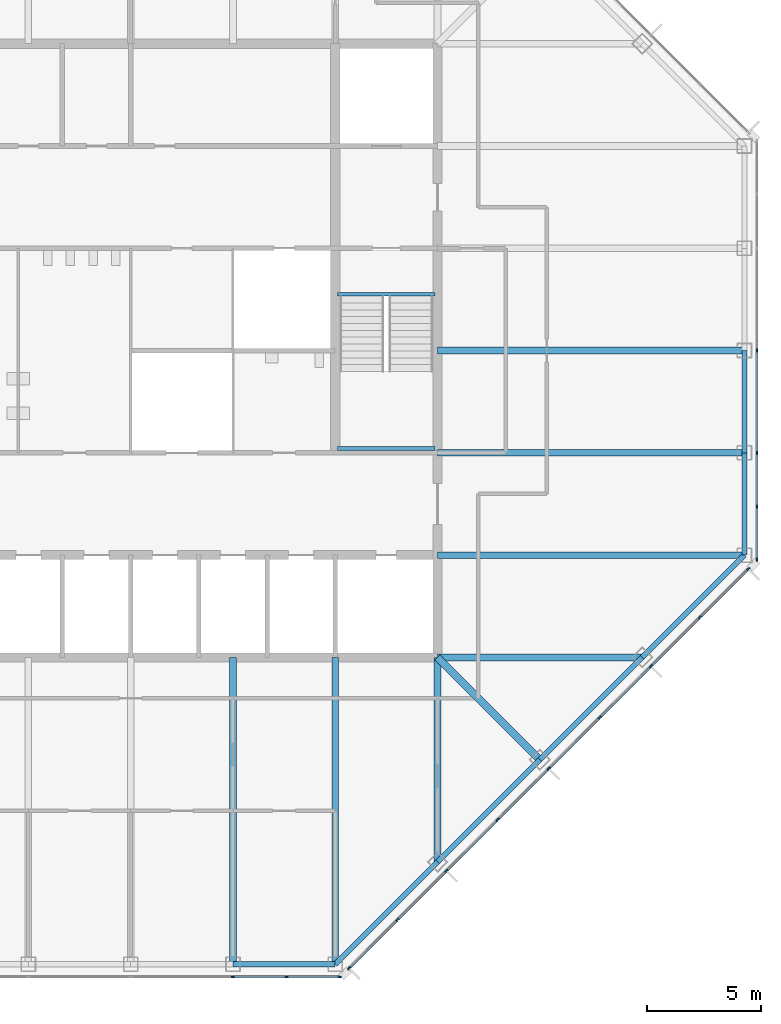
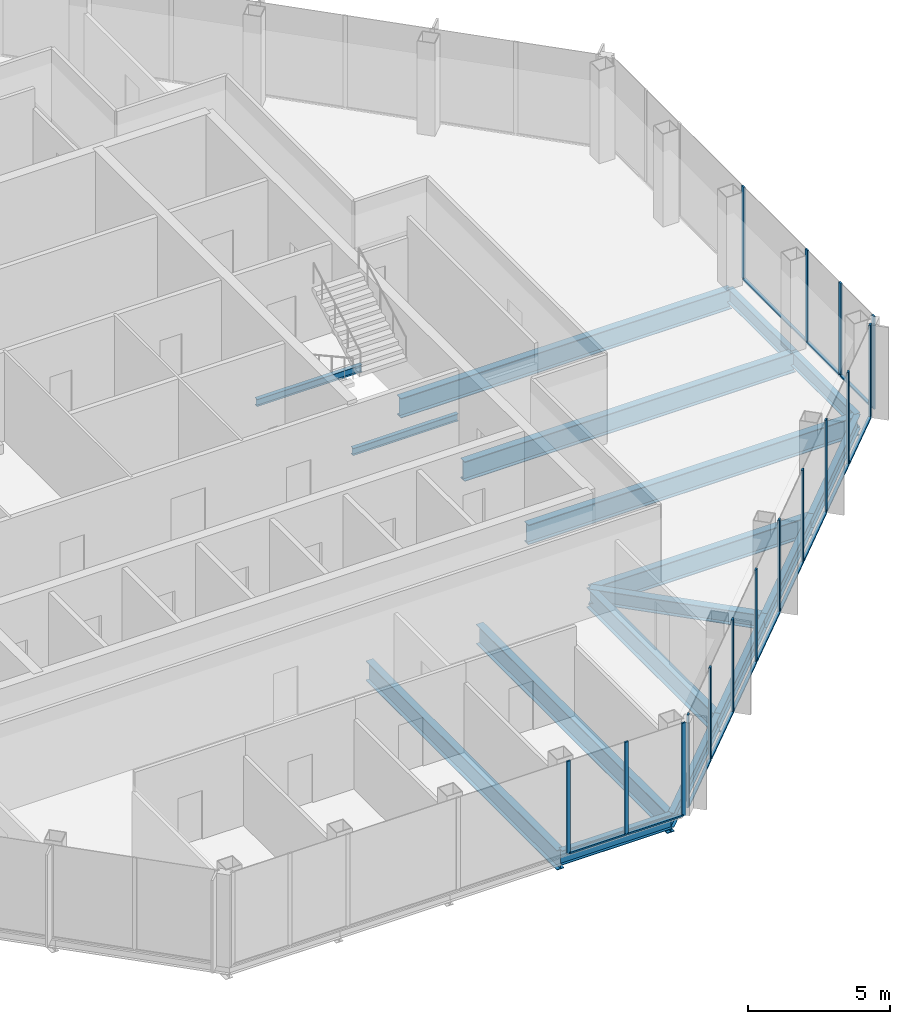
# One storey, part 4 of 14: 29 members, 17 beams, 3 elements without a shape of their own.
"""IFC4 building model written with IfcOpenShell, lengths in metres."""

import ifcopenshell
import ifcopenshell.guid

model = None  # the IFC model being written
_history = None  # IfcOwnerHistory: only IFC2X3 demands one
_inside = {}  # id of a spatial element -> (the spatial element, [elements in it])
_under = {}  # id of a project, library or spatial element -> (it, [spatial elements below it])
_declared = {}  # id of a project -> (the project, [libraries it declares])
_typed = {}  # id of a type object -> (the type object, [elements of that type])
_made_of = {}  # id of a material, layer set ... -> (it, [elements and type objects made of it])


def new_model(schema):
    """Start an empty IFC model of exactly this schema.

    Asked for "IFC4X3", IfcOpenShell would pick the latest addendum, in which some entities
    have other attributes; the version numbers below select the first issue.
    IFC2X3 requires an IfcOwnerHistory on every rooted entity: one is made here for all.
    """
    global model, _history
    if schema == "IFC4X3":
        model = ifcopenshell.file(schema_version=(4, 3, 0, 0))
    else:
        model = ifcopenshell.file(schema=schema)
    _inside.clear()
    _under.clear()
    _declared.clear()
    _typed.clear()
    _made_of.clear()
    _history = None
    if model.schema == "IFC2X3":
        org = make("IfcOrganization", Name="unknown")
        user = make(
            "IfcPersonAndOrganization",
            ThePerson=make("IfcPerson", FamilyName="unknown"),
            TheOrganization=org,
        )
        app = make(
            "IfcApplication",
            ApplicationDeveloper=org,
            Version="unknown",
            ApplicationFullName="unknown",
            ApplicationIdentifier="unknown",
        )
        _history = make(
            "IfcOwnerHistory",
            OwningUser=user,
            OwningApplication=app,
            ChangeAction="ADDED",
            CreationDate=0,
        )
    return model


def make(cls, **values):
    """One entity of the class cls with the attributes given. An attribute that is None is left unset."""
    return model.create_entity(
        cls, **{name: value for name, value in values.items() if value is not None}
    )


def rooted(cls, **values):
    """An entity with a GlobalId (a new one), such as an element, a storey or a relation."""
    return make(cls, GlobalId=ifcopenshell.guid.new(), OwnerHistory=_history, **values)


def si_unit(unit_type, name, prefix=None):
    """IfcSIUnit, for example si_unit("LENGTHUNIT", "METRE", prefix="MILLI")."""
    return make("IfcSIUnit", UnitType=unit_type, Prefix=prefix, Name=name)


def assignment(units):
    """IfcUnitAssignment: the units of a project."""
    return None if units is None else make("IfcUnitAssignment", Units=units)


def point(xyz):
    """IfcCartesianPoint."""
    return None if xyz is None else make("IfcCartesianPoint", Coordinates=xyz)


def direction(xyz):
    """IfcDirection."""
    return None if xyz is None else make("IfcDirection", DirectionRatios=xyz)


def frame(location, z_axis=None, x_axis=None):
    """IfcAxis2Placement3D, a coordinate frame: its origin and axes. An axis left out is left unset."""
    return make(
        "IfcAxis2Placement3D",
        Location=point(location),
        Axis=direction(z_axis),
        RefDirection=direction(x_axis),
    )


def frame_2d(location, x_axis=None):
    """IfcAxis2Placement2D, a coordinate frame in the plane: its origin and x axis."""
    return make(
        "IfcAxis2Placement2D", Location=point(location), RefDirection=direction(x_axis)
    )


def origin():
    """The frame at (0, 0, 0) with its axes left unset."""
    return frame((0.0, 0.0, 0.0))


def origin_2d():
    """The frame at (0, 0) in the plane with its x axis left unset."""
    return frame_2d((0.0, 0.0))


def place(relative_to, where):
    """IfcLocalPlacement: puts the frame where relative to a parent placement (None: the world)."""
    return make(
        "IfcLocalPlacement", PlacementRelTo=relative_to, RelativePlacement=where
    )


def context(
    kind, dimensions, precision=None, world=None, true_north=None, identifier=None
):
    """IfcGeometricRepresentationContext, for example the 3D "Model" context."""
    return make(
        "IfcGeometricRepresentationContext",
        ContextIdentifier=identifier,
        ContextType=kind,
        CoordinateSpaceDimension=dimensions,
        Precision=precision,
        WorldCoordinateSystem=world,
        TrueNorth=true_north,
    )


def subcontext(parent, identifier, kind, view, scale=None):
    """IfcGeometricRepresentationSubContext, for example "Body" below "Model"."""
    return make(
        "IfcGeometricRepresentationSubContext",
        ContextIdentifier=identifier,
        ContextType=kind,
        ParentContext=parent,
        TargetScale=scale,
        TargetView=view,
    )


def project(units=None, contexts=None):
    """IfcProject with its units and contexts."""
    return rooted(
        "IfcProject",
        Name="project",
        RepresentationContexts=contexts,
        UnitsInContext=assignment(units),
    )


def spatial(cls, under=None, at=None, **own):
    """A site, building, storey or space (cls), placed at a placement, below another one or the project."""
    s = rooted(cls, ObjectPlacement=at, **own)
    if under is not None:
        _under.setdefault(under.id(), (under, []))[1].append(s)
    return s


def profile(cls, at=None, kind="AREA", **sizes):
    """A parametric profile (cls). Its sizes go by their IFC names, for example OverallWidth=200.0."""
    return make(cls, ProfileType=kind, Position=at, **sizes)


def rectangle(**sizes):
    """IfcRectangleProfileDef."""
    return profile("IfcRectangleProfileDef", **sizes)


def i_section(**sizes):
    """IfcIShapeProfileDef."""
    return profile("IfcIShapeProfileDef", **sizes)


def extrude(swept, where, along, depth):
    """IfcExtrudedAreaSolid: the profile swept, set in the frame where, extruded along a direction by depth."""
    return make(
        "IfcExtrudedAreaSolid",
        SweptArea=swept,
        Position=where,
        ExtrudedDirection=direction(along),
        Depth=depth,
    )


def shape(context_of_items, identifier, shape_type, items):
    """IfcShapeRepresentation: the items that make up one representation, for example the "Body"."""
    return make(
        "IfcShapeRepresentation",
        ContextOfItems=context_of_items,
        RepresentationIdentifier=identifier,
        RepresentationType=shape_type,
        Items=items,
    )


def material(Name=None, Category=None):
    """IfcMaterial."""
    return make("IfcMaterial", Name=Name, Category=Category)


def material_profile(
    of_material, cross_section, Name=None, Category=None, Priority=None
):
    """IfcMaterialProfile: a cross section and its material."""
    return make(
        "IfcMaterialProfile",
        Name=Name,
        Material=of_material,
        Profile=cross_section,
        Priority=Priority,
        Category=Category,
    )


def profile_set(profiles, Name=None, composite=None):
    """IfcMaterialProfileSet."""
    return make(
        "IfcMaterialProfileSet",
        Name=Name,
        MaterialProfiles=profiles,
        CompositeProfile=composite,
    )


def made_of(thing, what):
    """Note that an element or type object is made of a material, layer set ...; save() writes the relation."""
    if what is not None:
        _made_of.setdefault(what.id(), (what, []))[1].append(thing)
    return thing


def type_object(cls, material=None, **own):
    """A type object (cls), such as IfcWallType, which elements share."""
    return made_of(rooted(cls, **own), material)


def element(
    cls,
    number,
    at=None,
    inside=None,
    cuts=None,
    type_object=None,
    material=None,
    context=None,
    identifier="Body",
    shape_type=None,
    held_by="IfcProductDefinitionShape",
    body=None,
    shapes=None,
    **own,
):
    """One element of the class cls, such as IfcWall. Its Tag is "e" and its number.

    at: its placement. inside: the storey or other place that contains it. cuts: it is an
    opening in that element (IfcRelVoidsElement). A single representation is given by context,
    identifier, shape_type and body (its items); several are given by shapes. held_by: the class
    of the entity that holds the representations. save() writes the other relations.
    """
    e = rooted(cls, Tag="e%d" % number, ObjectPlacement=at, **own)
    if body is not None:
        shapes = [shape(context, identifier, shape_type, body)]
    if shapes is not None:
        e.Representation = make(held_by, Representations=shapes)
    if inside is not None:
        _inside.setdefault(inside.id(), (inside, []))[1].append(e)
    if cuts is not None:
        rooted(
            "IfcRelVoidsElement", RelatingBuildingElement=cuts, RelatedOpeningElement=e
        )
    if type_object is not None:
        _typed.setdefault(type_object.id(), (type_object, []))[1].append(e)
    return made_of(e, material)


def aggregate(whole, parts):
    """IfcRelAggregates: a whole, such as a stair, and the parts it consists of."""
    return rooted("IfcRelAggregates", RelatingObject=whole, RelatedObjects=parts)


def save(model, path):
    """Write the relations noted so far, then the file.

    IfcRelAggregates (storeys below a building ...), IfcRelContainedInSpatialStructure (elements
    in a storey), IfcRelDefinesByType, IfcRelAssociatesMaterial and IfcRelDeclares: one each for
    every whole, place, type object, material and project.
    """
    for whole, parts in _under.values():
        aggregate(whole, parts)
    for where, things in _inside.values():
        rooted(
            "IfcRelContainedInSpatialStructure",
            RelatedElements=things,
            RelatingStructure=where,
        )
    for kind, things in _typed.values():
        rooted("IfcRelDefinesByType", RelatedObjects=things, RelatingType=kind)
    for what, things in _made_of.values():
        rooted("IfcRelAssociatesMaterial", RelatedObjects=things, RelatingMaterial=what)
    for by, libraries in _declared.values():
        rooted("IfcRelDeclares", RelatingContext=by, RelatedDefinitions=libraries)
    model.write(path)


model = new_model("IFC4")

# Units and contexts
model_context = context("Model", 3, precision=1e-05, world=origin(), true_north=direction((0.0, 1.0)))
body_context = subcontext(model_context, "Body", "Model", "MODEL_VIEW")
ifc_project = project(units=[si_unit("LENGTHUNIT", "METRE"), si_unit("AREAUNIT", "SQUARE_METRE"), si_unit("VOLUMEUNIT", "CUBIC_METRE"), si_unit("PLANEANGLEUNIT", "RADIAN"), si_unit("MASSUNIT", "GRAM", prefix="KILO")], contexts=[model_context])

# Site, building, storey
site_placement = place(None, origin())
site = spatial("IfcSite", under=ifc_project, at=site_placement, CompositionType="ELEMENT")
building_placement = place(site_placement, origin())
building = spatial("IfcBuilding", under=site, at=building_placement, Name="Corais Broadcast Tower", CompositionType="ELEMENT")
storey_placement = place(building_placement, frame((0.0, 0.0, 258.60009765625)))
storey = spatial("IfcBuildingStorey", under=building, at=storey_placement, Name="L60", CompositionType="ELEMENT", Elevation=258.60009765625)

# Beams
ifc_material_1 = material(Name="Steel ASTM A572 Grade 50", Category="steel")
ifc_material_profile_1 = material_profile(ifc_material_1, i_section(OverallWidth=0.323974609375, OverallDepth=0.611083984375, WebThickness=0.0126953125, FlangeThickness=0.01904296875, at=origin_2d()), Name="W610x155")
ifc_profile_set_1 = profile_set([ifc_material_profile_1], Name="Steel ASTM A572 Grade 50")
beam_type_1 = type_object("IfcBeamType", Name="Corner diagonal W610x155", PredefinedType="BEAM", material=ifc_profile_set_1)
beam_1_placement = place(storey_placement, frame((45.0, 9.0, -0.465576171875), z_axis=(-0.707106781187, 0.707106781187, 0.0), x_axis=(-0.707106781187, -0.707106781187, 0.0)))
element("IfcBeam", 1, at=beam_1_placement, inside=storey, type_object=beam_type_1, Name="B6 C/13 to D/12", PredefinedType="BEAM", context=body_context, shape_type="SweptSolid", body=[
    extrude(i_section(OverallWidth=0.323974609375, OverallDepth=0.611083984375, WebThickness=0.0126953125, FlangeThickness=0.01904296875, at=origin_2d()), origin(), (0.0, 0.0, 1.0), 6.364013671875),
])
ifc_material_2 = material(Name="Steel ASTM A572 Grade 50", Category="steel")
ifc_material_profile_2 = material_profile(ifc_material_2, i_section(OverallWidth=0.2939453125, OverallDepth=0.85107421875, WebThickness=0.01611328125, FlangeThickness=0.02685546875, at=origin_2d()), Name="W840x226")
ifc_profile_set_2 = profile_set([ifc_material_profile_2], Name="Steel ASTM A572 Grade 50")
beam_type_2 = type_object("IfcBeamType", Name="Floor beam W840x226", PredefinedType="BEAM", material=ifc_profile_set_2)
for number, where, z_axis, x_axis, name in (
    (2, (31.5, 0.0, -0.585693359375), (0.0, 1.0, 0.0), (-1.0, 0.0, 0.0), "B1 A/10 to D/10"),
    (3, (36.0, 0.0, -0.585693359375), (0.0, 1.0, 0.0), (-1.0, 0.0, 0.0), "B1 A/11 to D/11"),
):
    element("IfcBeam", number, at=place(storey_placement, frame(where, z_axis=z_axis, x_axis=x_axis)), inside=storey, type_object=beam_type_2, Name=name, PredefinedType="BEAM", context=body_context, shape_type="SweptSolid", body=[
        extrude(i_section(OverallWidth=0.2939453125, OverallDepth=0.85107421875, WebThickness=0.01611328125, FlangeThickness=0.02685546875, at=origin_2d()), origin(), (0.0, 0.0, 1.0), 13.5),
    ])
for number, where, z_axis, x_axis, name in (
    (4, (40.5, 4.5, -0.585693359375), (0.0, 1.0, 0.0), (-1.0, 0.0, 0.0), "B1 B/12 to D/12"),
    (5, (49.5, 13.5, -0.585693359375), (-1.0, 0.0, 0.0), (0.0, -1.0, 0.0), "B1 D/14 to D/12"),
):
    element("IfcBeam", number, at=place(storey_placement, frame(where, z_axis=z_axis, x_axis=x_axis)), inside=storey, type_object=beam_type_2, Name=name, PredefinedType="BEAM", context=body_context, shape_type="SweptSolid", body=[
        extrude(i_section(OverallWidth=0.2939453125, OverallDepth=0.85107421875, WebThickness=0.01611328125, FlangeThickness=0.02685546875, at=origin_2d()), origin(), (0.0, 0.0, 1.0), 9.0),
    ])
for number, where, z_axis, x_axis, name in (
    (6, (54.0, 18.0, -0.585693359375), (-1.0, 0.0, 0.0), (0.0, -1.0, 0.0), "B1 E/15 to E/12"),
    (7, (54.0, 22.5, -0.585693359375), (-1.0, 0.0, 0.0), (0.0, -1.0, 0.0), "B1 F/15 to F/12"),
    (8, (54.0, 27.0, -0.585693359375), (-1.0, 0.0, 0.0), (0.0, -1.0, 0.0), "B1 G/15 to G/12"),
):
    element("IfcBeam", number, at=place(storey_placement, frame(where, z_axis=z_axis, x_axis=x_axis)), inside=storey, type_object=beam_type_2, Name=name, PredefinedType="BEAM", context=body_context, shape_type="SweptSolid", body=[
        extrude(i_section(OverallWidth=0.2939453125, OverallDepth=0.85107421875, WebThickness=0.01611328125, FlangeThickness=0.02685546875, at=origin_2d()), origin(), (0.0, 0.0, 1.0), 13.5),
    ])
ifc_material_3 = material(Name="Steel ASTM A572 Grade 50", Category="steel")
ifc_material_profile_3 = material_profile(ifc_material_3, i_section(OverallWidth=0.1650390625, OverallDepth=0.31005859375, WebThickness=0.005859375, FlangeThickness=0.009765625, at=origin_2d()), Name="W310x38.7")
ifc_profile_set_3 = profile_set([ifc_material_profile_3], Name="Steel ASTM A572 Grade 50")
beam_type_3 = type_object("IfcBeamType", Name="Landing trimmer W310x38.7", PredefinedType="BEAM", material=ifc_profile_set_3)
for number, where, z_axis, x_axis, name in (
    (9, (36.10009765625, 29.47509765625, -0.35498046875), (1.0, 0.0, 0.0), (0.0, 1.0, 0.0), "LT1 stair B landing trimmer L60"),
    (10, (36.10009765625, 22.68994140625, 1.64501953125), (1.0, 0.0, 0.0), (0.0, 1.0, 0.0), "LT1 stair B half landing trimmer L60"),
):
    element("IfcBeam", number, at=place(storey_placement, frame(where, z_axis=z_axis, x_axis=x_axis)), inside=storey, type_object=beam_type_3, Name=name, PredefinedType="BEAM", context=body_context, shape_type="SweptSolid", body=[
        extrude(i_section(OverallWidth=0.1650390625, OverallDepth=0.31005859375, WebThickness=0.005859375, FlangeThickness=0.009765625, at=origin_2d()), origin(), (0.0, 0.0, 1.0), 4.2998046875),
    ])

# Curtain wall, members
ifc_material_4 = material(Name="Aluminium and glass", Category="aluminium")
curtain_wall_type = type_object("IfcCurtainWallType", Name="Unitised fritted curtain wall CW3", PredefinedType="NOTDEFINED", material=ifc_material_4)
curtain_wall_1_placement = place(storey_placement, origin())
curtain_wall_1 = element("IfcCurtainWall", 11, at=curtain_wall_1_placement, inside=storey, type_object=curtain_wall_type, Name="CW3 curtain wall L60 6", PredefinedType="NOTDEFINED")
ifc_material_5 = material(Name="Aluminium 6063-T6", Category="aluminium")
ifc_material_profile_4 = material_profile(ifc_material_5, rectangle(XDim=0.06494140625, YDim=0.159912109375, at=origin_2d()), Name="Mullion CW3 65x160")
ifc_profile_set_4 = profile_set([ifc_material_profile_4], Name="Aluminium 6063-T6")
member_type_1 = type_object("IfcMemberType", Name="Mullion CW3 65x160", PredefinedType="MULLION", material=ifc_profile_set_4)
member_1_placement = place(storey_placement, frame((54.550048828125, 27.0, 0.0), z_axis=(0.0, 0.0, 1.0), x_axis=(1.0, 0.0, 0.0)))
member_1 = element("IfcMember", 12, at=member_1_placement, type_object=member_type_1, Name="CW3 mullion 4", PredefinedType="MULLION", context=body_context, shape_type="SweptSolid", body=[
    extrude(rectangle(XDim=0.06494140625, YDim=0.159912109375, at=origin_2d()), origin(), (0.0, 0.0, 1.0), 4.0),
])
member_2_placement = place(storey_placement, frame((54.550048828125, 22.5, 0.0), z_axis=(0.0, 0.0, 1.0), x_axis=(1.0, 0.0, 0.0)))
member_2 = element("IfcMember", 13, at=member_2_placement, type_object=member_type_1, Name="CW3 mullion 5", PredefinedType="MULLION", context=body_context, shape_type="SweptSolid", body=[
    extrude(rectangle(XDim=0.06494140625, YDim=0.159912109375, at=origin_2d()), origin(), (0.0, 0.0, 1.0), 4.0),
])
member_3_placement = place(storey_placement, frame((54.550048828125, 20.135986328125, 0.0), z_axis=(0.0, 0.0, 1.0), x_axis=(1.0, 0.0, 0.0)))
member_3 = element("IfcMember", 14, at=member_3_placement, type_object=member_type_1, Name="CW3 mullion 6", PredefinedType="MULLION", context=body_context, shape_type="SweptSolid", body=[
    extrude(rectangle(XDim=0.06494140625, YDim=0.159912109375, at=origin_2d()), origin(), (0.0, 0.0, 1.0), 4.0),
])
member_4_placement = place(storey_placement, frame((54.550048828125, 17.8046875, 0.0), z_axis=(0.0, 0.0, 1.0), x_axis=(1.0, 0.0, 0.0)))
member_4 = element("IfcMember", 15, at=member_4_placement, type_object=member_type_1, Name="CW3 mullion 7", PredefinedType="MULLION", context=body_context, shape_type="SweptSolid", body=[
    extrude(rectangle(XDim=0.06494140625, YDim=0.159912109375, at=origin_2d()), origin(), (0.0, 0.0, 1.0), 4.0),
])

curtain_wall_2_placement = place(storey_placement, origin())
curtain_wall_2 = element("IfcCurtainWall", 16, at=curtain_wall_2_placement, inside=storey, type_object=curtain_wall_type, Name="CW3 curtain wall L60 7", PredefinedType="NOTDEFINED")
member_5_placement = place(storey_placement, frame((54.17333984375, 17.3955078125, 0.0), z_axis=(0.0, 0.0, 1.0), x_axis=(0.707106781187, -0.707106781187, 0.0)))
member_5 = element("IfcMember", 17, at=member_5_placement, type_object=member_type_1, Name="CW3 mullion 1", PredefinedType="MULLION", context=body_context, shape_type="SweptSolid", body=[
    extrude(rectangle(XDim=0.06494140625, YDim=0.159912109375, at=origin_2d()), origin(), (0.0, 0.0, 1.0), 4.0),
])
member_6_placement = place(storey_placement, frame((52.042724609375, 15.264892578125, 0.0), z_axis=(0.0, 0.0, 1.0), x_axis=(0.707106781187, -0.707106781187, 0.0)))
member_6 = element("IfcMember", 18, at=member_6_placement, type_object=member_type_1, Name="CW3 mullion 2", PredefinedType="MULLION", context=body_context, shape_type="SweptSolid", body=[
    extrude(rectangle(XDim=0.06494140625, YDim=0.159912109375, at=origin_2d()), origin(), (0.0, 0.0, 1.0), 4.0),
])
member_7_placement = place(storey_placement, frame((49.888916015625, 13.111083984375, 0.0), z_axis=(0.0, 0.0, 1.0), x_axis=(0.707106781187, -0.707106781187, 0.0)))
member_7 = element("IfcMember", 19, at=member_7_placement, type_object=member_type_1, Name="CW3 mullion 3", PredefinedType="MULLION", context=body_context, shape_type="SweptSolid", body=[
    extrude(rectangle(XDim=0.06494140625, YDim=0.159912109375, at=origin_2d()), origin(), (0.0, 0.0, 1.0), 4.0),
])
member_8_placement = place(storey_placement, frame((47.638916015625, 10.861083984375, 0.0), z_axis=(0.0, 0.0, 1.0), x_axis=(0.707106781187, -0.707106781187, 0.0)))
member_8 = element("IfcMember", 20, at=member_8_placement, type_object=member_type_1, Name="CW3 mullion 4", PredefinedType="MULLION", context=body_context, shape_type="SweptSolid", body=[
    extrude(rectangle(XDim=0.06494140625, YDim=0.159912109375, at=origin_2d()), origin(), (0.0, 0.0, 1.0), 4.0),
])
member_9_placement = place(storey_placement, frame((45.388916015625, 8.611083984375, 0.0), z_axis=(0.0, 0.0, 1.0), x_axis=(0.707106781187, -0.707106781187, 0.0)))
member_9 = element("IfcMember", 21, at=member_9_placement, type_object=member_type_1, Name="CW3 mullion 5", PredefinedType="MULLION", context=body_context, shape_type="SweptSolid", body=[
    extrude(rectangle(XDim=0.06494140625, YDim=0.159912109375, at=origin_2d()), origin(), (0.0, 0.0, 1.0), 4.0),
])
member_10_placement = place(storey_placement, frame((43.138916015625, 6.361083984375, 0.0), z_axis=(0.0, 0.0, 1.0), x_axis=(0.707106781187, -0.707106781187, 0.0)))
member_10 = element("IfcMember", 22, at=member_10_placement, type_object=member_type_1, Name="CW3 mullion 6", PredefinedType="MULLION", context=body_context, shape_type="SweptSolid", body=[
    extrude(rectangle(XDim=0.06494140625, YDim=0.159912109375, at=origin_2d()), origin(), (0.0, 0.0, 1.0), 4.0),
])
member_11_placement = place(storey_placement, frame((40.888916015625, 4.111083984375, 0.0), z_axis=(0.0, 0.0, 1.0), x_axis=(0.707106781187, -0.707106781187, 0.0)))
member_11 = element("IfcMember", 23, at=member_11_placement, type_object=member_type_1, Name="CW3 mullion 7", PredefinedType="MULLION", context=body_context, shape_type="SweptSolid", body=[
    extrude(rectangle(XDim=0.06494140625, YDim=0.159912109375, at=origin_2d()), origin(), (0.0, 0.0, 1.0), 4.0),
])
member_12_placement = place(storey_placement, frame((38.735107421875, 1.957275390625, 0.0), z_axis=(0.0, 0.0, 1.0), x_axis=(0.707106781187, -0.707106781187, 0.0)))
member_12 = element("IfcMember", 24, at=member_12_placement, type_object=member_type_1, Name="CW3 mullion 8", PredefinedType="MULLION", context=body_context, shape_type="SweptSolid", body=[
    extrude(rectangle(XDim=0.06494140625, YDim=0.159912109375, at=origin_2d()), origin(), (0.0, 0.0, 1.0), 4.0),
])
member_13_placement = place(storey_placement, frame((36.6044921875, -0.17333984375, 0.0), z_axis=(0.0, 0.0, 1.0), x_axis=(0.707106781187, -0.707106781187, 0.0)))
member_13 = element("IfcMember", 25, at=member_13_placement, type_object=member_type_1, Name="CW3 mullion 9", PredefinedType="MULLION", context=body_context, shape_type="SweptSolid", body=[
    extrude(rectangle(XDim=0.06494140625, YDim=0.159912109375, at=origin_2d()), origin(), (0.0, 0.0, 1.0), 4.0),
])

curtain_wall_3_placement = place(storey_placement, origin())
curtain_wall_3 = element("IfcCurtainWall", 26, at=curtain_wall_3_placement, inside=storey, type_object=curtain_wall_type, Name="CW3 curtain wall L60 8", PredefinedType="NOTDEFINED")
member_14_placement = place(storey_placement, frame((36.1953125, -0.550048828125, 0.0), z_axis=(0.0, 0.0, 1.0), x_axis=(0.0, -1.0, 0.0)))
member_14 = element("IfcMember", 27, at=member_14_placement, type_object=member_type_1, Name="CW3 mullion 1", PredefinedType="MULLION", context=body_context, shape_type="SweptSolid", body=[
    extrude(rectangle(XDim=0.06494140625, YDim=0.159912109375, at=origin_2d()), origin(), (0.0, 0.0, 1.0), 4.0),
])
member_15_placement = place(storey_placement, frame((33.864013671875, -0.550048828125, 0.0), z_axis=(0.0, 0.0, 1.0), x_axis=(0.0, -1.0, 0.0)))
member_15 = element("IfcMember", 28, at=member_15_placement, type_object=member_type_1, Name="CW3 mullion 2", PredefinedType="MULLION", context=body_context, shape_type="SweptSolid", body=[
    extrude(rectangle(XDim=0.06494140625, YDim=0.159912109375, at=origin_2d()), origin(), (0.0, 0.0, 1.0), 4.0),
])
member_16_placement = place(storey_placement, frame((31.5, -0.550048828125, 0.0), z_axis=(0.0, 0.0, 1.0), x_axis=(0.0, -1.0, 0.0)))
member_16 = element("IfcMember", 29, at=member_16_placement, type_object=member_type_1, Name="CW3 mullion 3", PredefinedType="MULLION", context=body_context, shape_type="SweptSolid", body=[
    extrude(rectangle(XDim=0.06494140625, YDim=0.159912109375, at=origin_2d()), origin(), (0.0, 0.0, 1.0), 4.0),
])

# Beams
ifc_material_6 = material(Name="Steel ASTM A572 Grade 50", Category="steel")
ifc_material_profile_5 = material_profile(ifc_material_6, i_section(OverallWidth=0.22998046875, OverallDepth=0.616943359375, WebThickness=0.01318359375, FlangeThickness=0.022216796875, at=origin_2d()), Name="W610x140")
ifc_profile_set_5 = profile_set([ifc_material_profile_5], Name="Steel ASTM A572 Grade 50")
beam_type_4 = type_object("IfcBeamType", Name="Spandrel W610x140", PredefinedType="BEAM", material=ifc_profile_set_5)
beam_2_placement = place(storey_placement, frame((31.5, 0.0, -0.468505859375), z_axis=(1.0, 0.0, 0.0), x_axis=(0.0, 1.0, 0.0)))
element("IfcBeam", 30, at=beam_2_placement, inside=storey, type_object=beam_type_4, Name="SB3 A/10 to A/11", PredefinedType="BEAM", context=body_context, shape_type="SweptSolid", body=[
    extrude(i_section(OverallWidth=0.22998046875, OverallDepth=0.616943359375, WebThickness=0.01318359375, FlangeThickness=0.022216796875, at=origin_2d()), origin(), (0.0, 0.0, 1.0), 4.5),
])
for number, where, z_axis, x_axis, name in (
    (31, (36.0, 0.0, -0.468505859375), (0.707106781187, 0.707106781187, 0.0), (-0.707106781187, 0.707106781187, 0.0), "SB3 A/11 to B/12"),
    (32, (40.5, 4.5, -0.468505859375), (0.707106781187, 0.707106781187, 0.0), (-0.707106781187, 0.707106781187, 0.0), "SB3 B/12 to C/13"),
    (33, (45.0, 9.0, -0.468505859375), (0.707106781187, 0.707106781187, 0.0), (-0.707106781187, 0.707106781187, 0.0), "SB3 C/13 to D/14"),
    (34, (49.5, 13.5, -0.468505859375), (0.707106781187, 0.707106781187, 0.0), (-0.707106781187, 0.707106781187, 0.0), "SB3 D/14 to E/15"),
):
    element("IfcBeam", number, at=place(storey_placement, frame(where, z_axis=z_axis, x_axis=x_axis)), inside=storey, type_object=beam_type_4, Name=name, PredefinedType="BEAM", context=body_context, shape_type="SweptSolid", body=[
        extrude(i_section(OverallWidth=0.22998046875, OverallDepth=0.616943359375, WebThickness=0.01318359375, FlangeThickness=0.022216796875, at=origin_2d()), origin(), (0.0, 0.0, 1.0), 6.364013671875),
    ])
for number, where, z_axis, x_axis, name in (
    (35, (54.0, 18.0, -0.468505859375), (0.0, 1.0, 0.0), (-1.0, 0.0, 0.0), "SB3 E/15 to F/15"),
    (36, (54.0, 22.5, -0.468505859375), (0.0, 1.0, 0.0), (-1.0, 0.0, 0.0), "SB3 F/15 to G/15"),
):
    element("IfcBeam", number, at=place(storey_placement, frame(where, z_axis=z_axis, x_axis=x_axis)), inside=storey, type_object=beam_type_4, Name=name, PredefinedType="BEAM", context=body_context, shape_type="SweptSolid", body=[
        extrude(i_section(OverallWidth=0.22998046875, OverallDepth=0.616943359375, WebThickness=0.01318359375, FlangeThickness=0.022216796875, at=origin_2d()), origin(), (0.0, 0.0, 1.0), 4.5),
    ])

# Member
ifc_material_7 = material(Name="Aluminium 6063-T6", Category="aluminium")
ifc_material_profile_6 = material_profile(ifc_material_7, rectangle(XDim=0.1201171875, YDim=0.06494140625, at=origin_2d()), Name="Transom CW3 65x120")
ifc_profile_set_6 = profile_set([ifc_material_profile_6], Name="Aluminium 6063-T6")
member_type_2 = type_object("IfcMemberType", Name="Transom CW3 65x120", PredefinedType="USERDEFINED", material=ifc_profile_set_6)
member_17_placement = place(storey_placement, frame((54.550048828125, 26.967529296875, 0.032470703125), z_axis=(0.0, -1.0, 0.0), x_axis=(1.0, 0.0, 0.0)))
member_17 = element("IfcMember", 37, at=member_17_placement, type_object=member_type_2, Name="CW3 transom 4.1", ObjectType="TRANSOM", PredefinedType="USERDEFINED", context=body_context, shape_type="SweptSolid", body=[
    extrude(rectangle(XDim=0.1201171875, YDim=0.06494140625, at=origin_2d()), origin(), (0.0, 0.0, 1.0), 4.43505859375),
])

member_18_placement = place(storey_placement, frame((54.550048828125, 22.467529296875, 0.032470703125), z_axis=(0.0, -1.0, 0.0), x_axis=(1.0, 0.0, 0.0)))
member_18 = element("IfcMember", 38, at=member_18_placement, type_object=member_type_2, Name="CW3 transom 5.1", ObjectType="TRANSOM", PredefinedType="USERDEFINED", context=body_context, shape_type="SweptSolid", body=[
    extrude(rectangle(XDim=0.1201171875, YDim=0.06494140625, at=origin_2d()), origin(), (0.0, 0.0, 1.0), 2.298828125),
])

member_19_placement = place(storey_placement, frame((54.550048828125, 20.103515625, 0.032470703125), z_axis=(0.0, -1.0, 0.0), x_axis=(1.0, 0.0, 0.0)))
member_19 = element("IfcMember", 39, at=member_19_placement, type_object=member_type_2, Name="CW3 transom 6.1", ObjectType="TRANSOM", PredefinedType="USERDEFINED", context=body_context, shape_type="SweptSolid", body=[
    extrude(rectangle(XDim=0.1201171875, YDim=0.06494140625, at=origin_2d()), origin(), (0.0, 0.0, 1.0), 2.266357421875),
])

aggregate(curtain_wall_1, [member_1, member_2, member_3, member_4, member_17, member_18, member_19])

member_20_placement = place(storey_placement, frame((54.150390625, 17.37255859375, 0.032470703125), z_axis=(-0.707106781187, -0.707106781187, 0.0), x_axis=(0.707106781187, -0.707106781187, 0.0)))
member_20 = element("IfcMember", 40, at=member_20_placement, type_object=member_type_2, Name="CW3 transom 1.1", ObjectType="TRANSOM", PredefinedType="USERDEFINED", context=body_context, shape_type="SweptSolid", body=[
    extrude(rectangle(XDim=0.1201171875, YDim=0.06494140625, at=origin_2d()), origin(), (0.0, 0.0, 1.0), 2.9482421875),
])

member_21_placement = place(storey_placement, frame((52.019775390625, 15.241943359375, 0.032470703125), z_axis=(-0.707106781187, -0.707106781187, 0.0), x_axis=(0.707106781187, -0.707106781187, 0.0)))
member_21 = element("IfcMember", 41, at=member_21_placement, type_object=member_type_2, Name="CW3 transom 2.1", ObjectType="TRANSOM", PredefinedType="USERDEFINED", context=body_context, shape_type="SweptSolid", body=[
    extrude(rectangle(XDim=0.1201171875, YDim=0.06494140625, at=origin_2d()), origin(), (0.0, 0.0, 1.0), 2.98095703125),
])

member_22_placement = place(storey_placement, frame((49.865966796875, 13.088134765625, 0.032470703125), z_axis=(-0.707106781187, -0.707106781187, 0.0), x_axis=(0.707106781187, -0.707106781187, 0.0)))
member_22 = element("IfcMember", 42, at=member_22_placement, type_object=member_type_2, Name="CW3 transom 3.1", ObjectType="TRANSOM", PredefinedType="USERDEFINED", context=body_context, shape_type="SweptSolid", body=[
    extrude(rectangle(XDim=0.1201171875, YDim=0.06494140625, at=origin_2d()), origin(), (0.0, 0.0, 1.0), 3.1171875),
])

member_23_placement = place(storey_placement, frame((47.615966796875, 10.838134765625, 0.032470703125), z_axis=(-0.707106781187, -0.707106781187, 0.0), x_axis=(0.707106781187, -0.707106781187, 0.0)))
member_23 = element("IfcMember", 43, at=member_23_placement, type_object=member_type_2, Name="CW3 transom 4.1", ObjectType="TRANSOM", PredefinedType="USERDEFINED", context=body_context, shape_type="SweptSolid", body=[
    extrude(rectangle(XDim=0.1201171875, YDim=0.06494140625, at=origin_2d()), origin(), (0.0, 0.0, 1.0), 3.1171875),
])

member_24_placement = place(storey_placement, frame((45.365966796875, 8.588134765625, 0.032470703125), z_axis=(-0.707106781187, -0.707106781187, 0.0), x_axis=(0.707106781187, -0.707106781187, 0.0)))
member_24 = element("IfcMember", 44, at=member_24_placement, type_object=member_type_2, Name="CW3 transom 5.1", ObjectType="TRANSOM", PredefinedType="USERDEFINED", context=body_context, shape_type="SweptSolid", body=[
    extrude(rectangle(XDim=0.1201171875, YDim=0.06494140625, at=origin_2d()), origin(), (0.0, 0.0, 1.0), 3.1171875),
])

member_25_placement = place(storey_placement, frame((43.115966796875, 6.338134765625, 0.032470703125), z_axis=(-0.707106781187, -0.707106781187, 0.0), x_axis=(0.707106781187, -0.707106781187, 0.0)))
member_25 = element("IfcMember", 45, at=member_25_placement, type_object=member_type_2, Name="CW3 transom 6.1", ObjectType="TRANSOM", PredefinedType="USERDEFINED", context=body_context, shape_type="SweptSolid", body=[
    extrude(rectangle(XDim=0.1201171875, YDim=0.06494140625, at=origin_2d()), origin(), (0.0, 0.0, 1.0), 3.1171875),
])

member_26_placement = place(storey_placement, frame((40.865966796875, 4.088134765625, 0.032470703125), z_axis=(-0.70714773134, -0.707065828661, 0.0), x_axis=(0.707065828661, -0.70714773134, 0.0)))
member_26 = element("IfcMember", 46, at=member_26_placement, type_object=member_type_2, Name="CW3 transom 7.1", ObjectType="TRANSOM", PredefinedType="USERDEFINED", context=body_context, shape_type="SweptSolid", body=[
    extrude(rectangle(XDim=0.1201171875, YDim=0.06494140625, at=origin_2d()), origin(), (0.0, 0.0, 1.0), 2.98095703125),
])

member_27_placement = place(storey_placement, frame((38.712158203125, 1.934326171875, 0.032470703125), z_axis=(-0.707106781187, -0.707106781187, 0.0), x_axis=(0.707106781187, -0.707106781187, 0.0)))
member_27 = element("IfcMember", 47, at=member_27_placement, type_object=member_type_2, Name="CW3 transom 8.1", ObjectType="TRANSOM", PredefinedType="USERDEFINED", context=body_context, shape_type="SweptSolid", body=[
    extrude(rectangle(XDim=0.1201171875, YDim=0.06494140625, at=origin_2d()), origin(), (0.0, 0.0, 1.0), 2.9482421875),
])

aggregate(curtain_wall_2, [member_5, member_6, member_7, member_8, member_9, member_10, member_11, member_12, member_13, member_20, member_21, member_22, member_23, member_24, member_25, member_26, member_27])

member_28_placement = place(storey_placement, frame((36.162841796875, -0.550048828125, 0.032470703125), z_axis=(-1.0, 0.0, 0.0), x_axis=(0.0, -1.0, 0.0)))
member_28 = element("IfcMember", 48, at=member_28_placement, type_object=member_type_2, Name="CW3 transom 1.1", ObjectType="TRANSOM", PredefinedType="USERDEFINED", context=body_context, shape_type="SweptSolid", body=[
    extrude(rectangle(XDim=0.1201171875, YDim=0.06494140625, at=origin_2d()), origin(), (0.0, 0.0, 1.0), 2.266357421875),
])

member_29_placement = place(storey_placement, frame((33.831298828125, -0.550048828125, 0.032470703125), z_axis=(-1.0, 0.0, 0.0), x_axis=(0.0, -1.0, 0.0)))
member_29 = element("IfcMember", 49, at=member_29_placement, type_object=member_type_2, Name="CW3 transom 2.1", ObjectType="TRANSOM", PredefinedType="USERDEFINED", context=body_context, shape_type="SweptSolid", body=[
    extrude(rectangle(XDim=0.1201171875, YDim=0.06494140625, at=origin_2d()), origin(), (0.0, 0.0, 1.0), 2.298828125),
])

aggregate(curtain_wall_3, [member_14, member_15, member_16, member_28, member_29])

save(model, "model.ifc")
